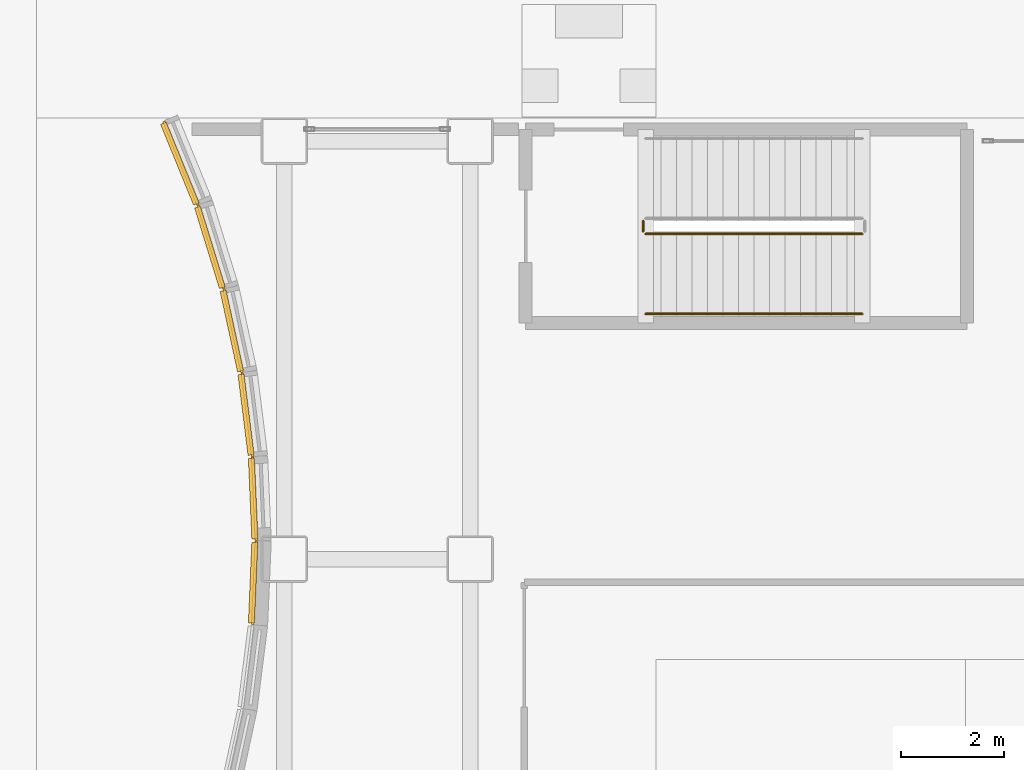
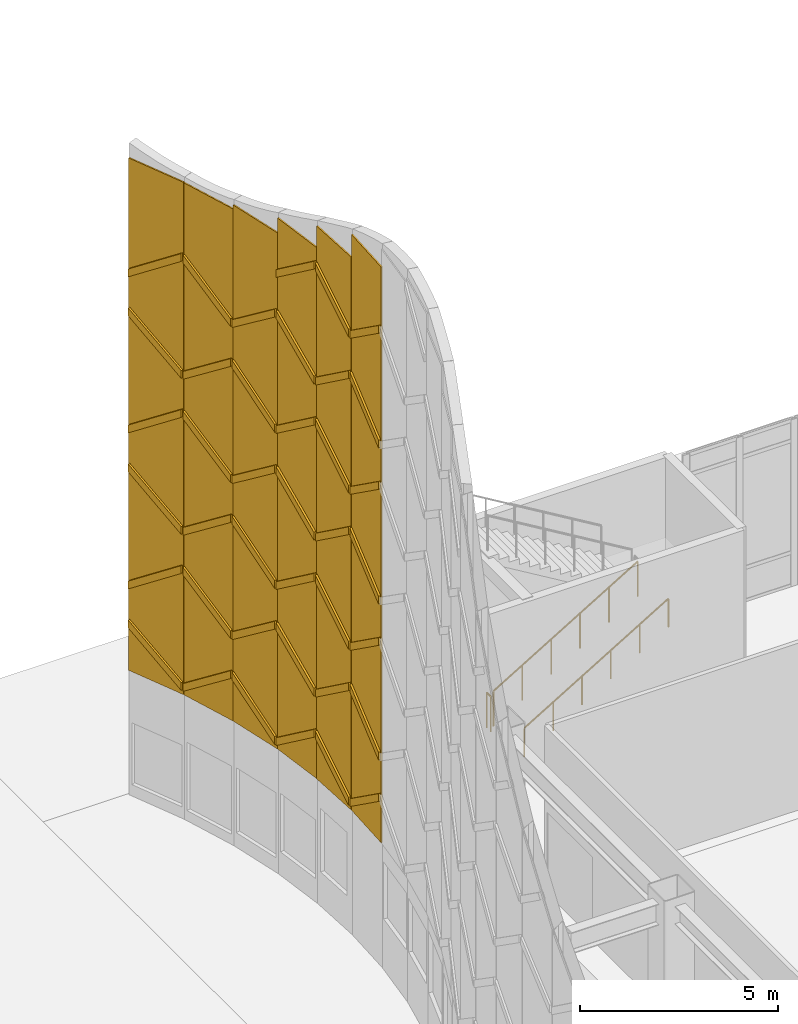
# One storey, part 156 of 165: 45 coverings, 3 railings.
"""IFC4 building model written with IfcOpenShell, lengths in metres."""

import ifcopenshell
import ifcopenshell.guid

model = None  # the IFC model being written
_history = None  # IfcOwnerHistory: only IFC2X3 demands one
_inside = {}  # id of a spatial element -> (the spatial element, [elements in it])
_under = {}  # id of a project, library or spatial element -> (it, [spatial elements below it])
_declared = {}  # id of a project -> (the project, [libraries it declares])
_typed = {}  # id of a type object -> (the type object, [elements of that type])
_made_of = {}  # id of a material, layer set ... -> (it, [elements and type objects made of it])


def new_model(schema):
    """Start an empty IFC model of exactly this schema.

    Asked for "IFC4X3", IfcOpenShell would pick the latest addendum, in which some entities
    have other attributes; the version numbers below select the first issue.
    IFC2X3 requires an IfcOwnerHistory on every rooted entity: one is made here for all.
    """
    global model, _history
    if schema == "IFC4X3":
        model = ifcopenshell.file(schema_version=(4, 3, 0, 0))
    else:
        model = ifcopenshell.file(schema=schema)
    _inside.clear()
    _under.clear()
    _declared.clear()
    _typed.clear()
    _made_of.clear()
    _history = None
    if model.schema == "IFC2X3":
        org = make("IfcOrganization", Name="unknown")
        user = make(
            "IfcPersonAndOrganization",
            ThePerson=make("IfcPerson", FamilyName="unknown"),
            TheOrganization=org,
        )
        app = make(
            "IfcApplication",
            ApplicationDeveloper=org,
            Version="unknown",
            ApplicationFullName="unknown",
            ApplicationIdentifier="unknown",
        )
        _history = make(
            "IfcOwnerHistory",
            OwningUser=user,
            OwningApplication=app,
            ChangeAction="ADDED",
            CreationDate=0,
        )
    return model


def make(cls, **values):
    """One entity of the class cls with the attributes given. An attribute that is None is left unset."""
    return model.create_entity(
        cls, **{name: value for name, value in values.items() if value is not None}
    )


def rooted(cls, **values):
    """An entity with a GlobalId (a new one), such as an element, a storey or a relation."""
    return make(cls, GlobalId=ifcopenshell.guid.new(), OwnerHistory=_history, **values)


def si_unit(unit_type, name, prefix=None):
    """IfcSIUnit, for example si_unit("LENGTHUNIT", "METRE", prefix="MILLI")."""
    return make("IfcSIUnit", UnitType=unit_type, Prefix=prefix, Name=name)


def assignment(units):
    """IfcUnitAssignment: the units of a project."""
    return None if units is None else make("IfcUnitAssignment", Units=units)


def point(xyz):
    """IfcCartesianPoint."""
    return None if xyz is None else make("IfcCartesianPoint", Coordinates=xyz)


def direction(xyz):
    """IfcDirection."""
    return None if xyz is None else make("IfcDirection", DirectionRatios=xyz)


def frame(location, z_axis=None, x_axis=None):
    """IfcAxis2Placement3D, a coordinate frame: its origin and axes. An axis left out is left unset."""
    return make(
        "IfcAxis2Placement3D",
        Location=point(location),
        Axis=direction(z_axis),
        RefDirection=direction(x_axis),
    )


def frame_2d(location, x_axis=None):
    """IfcAxis2Placement2D, a coordinate frame in the plane: its origin and x axis."""
    return make(
        "IfcAxis2Placement2D", Location=point(location), RefDirection=direction(x_axis)
    )


def origin():
    """The frame at (0, 0, 0) with its axes left unset."""
    return frame((0.0, 0.0, 0.0))


def origin_2d():
    """The frame at (0, 0) in the plane with its x axis left unset."""
    return frame_2d((0.0, 0.0))


def place(relative_to, where):
    """IfcLocalPlacement: puts the frame where relative to a parent placement (None: the world)."""
    return make(
        "IfcLocalPlacement", PlacementRelTo=relative_to, RelativePlacement=where
    )


def context(
    kind, dimensions, precision=None, world=None, true_north=None, identifier=None
):
    """IfcGeometricRepresentationContext, for example the 3D "Model" context."""
    return make(
        "IfcGeometricRepresentationContext",
        ContextIdentifier=identifier,
        ContextType=kind,
        CoordinateSpaceDimension=dimensions,
        Precision=precision,
        WorldCoordinateSystem=world,
        TrueNorth=true_north,
    )


def subcontext(parent, identifier, kind, view, scale=None):
    """IfcGeometricRepresentationSubContext, for example "Body" below "Model"."""
    return make(
        "IfcGeometricRepresentationSubContext",
        ContextIdentifier=identifier,
        ContextType=kind,
        ParentContext=parent,
        TargetScale=scale,
        TargetView=view,
    )


def project(units=None, contexts=None):
    """IfcProject with its units and contexts."""
    return rooted(
        "IfcProject",
        Name="project",
        RepresentationContexts=contexts,
        UnitsInContext=assignment(units),
    )


def spatial(cls, under=None, at=None, **own):
    """A site, building, storey or space (cls), placed at a placement, below another one or the project."""
    s = rooted(cls, ObjectPlacement=at, **own)
    if under is not None:
        _under.setdefault(under.id(), (under, []))[1].append(s)
    return s


def polyline(points):
    """IfcPolyline through the points."""
    return make("IfcPolyline", Points=[point(p) for p in points])


def profile(cls, at=None, kind="AREA", **sizes):
    """A parametric profile (cls). Its sizes go by their IFC names, for example OverallWidth=200.0."""
    return make(cls, ProfileType=kind, Position=at, **sizes)


def rectangle(**sizes):
    """IfcRectangleProfileDef."""
    return profile("IfcRectangleProfileDef", **sizes)


def circle(**sizes):
    """IfcCircleProfileDef."""
    return profile("IfcCircleProfileDef", **sizes)


def outline(outer, holes=None, kind="AREA"):
    """IfcArbitraryClosedProfileDef: a profile drawn as a closed curve; with holes, ...WithVoids."""
    if holes is None:
        return make("IfcArbitraryClosedProfileDef", ProfileType=kind, OuterCurve=outer)
    return make(
        "IfcArbitraryProfileDefWithVoids",
        ProfileType=kind,
        OuterCurve=outer,
        InnerCurves=holes,
    )


def extrude(swept, where, along, depth):
    """IfcExtrudedAreaSolid: the profile swept, set in the frame where, extruded along a direction by depth."""
    return make(
        "IfcExtrudedAreaSolid",
        SweptArea=swept,
        Position=where,
        ExtrudedDirection=direction(along),
        Depth=depth,
    )


def shape(context_of_items, identifier, shape_type, items):
    """IfcShapeRepresentation: the items that make up one representation, for example the "Body"."""
    return make(
        "IfcShapeRepresentation",
        ContextOfItems=context_of_items,
        RepresentationIdentifier=identifier,
        RepresentationType=shape_type,
        Items=items,
    )


def material(Name=None, Category=None):
    """IfcMaterial."""
    return make("IfcMaterial", Name=Name, Category=Category)


def layer(
    of_material, thickness, ventilated=None, Name=None, Category=None, Priority=None
):
    """IfcMaterialLayer: one layer of a wall or slab, of a material (None: an air gap)."""
    return make(
        "IfcMaterialLayer",
        Material=of_material,
        LayerThickness=thickness,
        IsVentilated=ventilated,
        Name=Name,
        Category=Category,
        Priority=Priority,
    )


def layer_set(layers, Name=None):
    """IfcMaterialLayerSet."""
    return make("IfcMaterialLayerSet", MaterialLayers=layers, LayerSetName=Name)


def made_of(thing, what):
    """Note that an element or type object is made of a material, layer set ...; save() writes the relation."""
    if what is not None:
        _made_of.setdefault(what.id(), (what, []))[1].append(thing)
    return thing


def type_object(cls, material=None, **own):
    """A type object (cls), such as IfcWallType, which elements share."""
    return made_of(rooted(cls, **own), material)


def element(
    cls,
    number,
    at=None,
    inside=None,
    cuts=None,
    type_object=None,
    material=None,
    context=None,
    identifier="Body",
    shape_type=None,
    held_by="IfcProductDefinitionShape",
    body=None,
    shapes=None,
    **own,
):
    """One element of the class cls, such as IfcWall. Its Tag is "e" and its number.

    at: its placement. inside: the storey or other place that contains it. cuts: it is an
    opening in that element (IfcRelVoidsElement). A single representation is given by context,
    identifier, shape_type and body (its items); several are given by shapes. held_by: the class
    of the entity that holds the representations. save() writes the other relations.
    """
    e = rooted(cls, Tag="e%d" % number, ObjectPlacement=at, **own)
    if body is not None:
        shapes = [shape(context, identifier, shape_type, body)]
    if shapes is not None:
        e.Representation = make(held_by, Representations=shapes)
    if inside is not None:
        _inside.setdefault(inside.id(), (inside, []))[1].append(e)
    if cuts is not None:
        rooted(
            "IfcRelVoidsElement", RelatingBuildingElement=cuts, RelatedOpeningElement=e
        )
    if type_object is not None:
        _typed.setdefault(type_object.id(), (type_object, []))[1].append(e)
    return made_of(e, material)


def aggregate(whole, parts):
    """IfcRelAggregates: a whole, such as a stair, and the parts it consists of."""
    return rooted("IfcRelAggregates", RelatingObject=whole, RelatedObjects=parts)


def save(model, path):
    """Write the relations noted so far, then the file.

    IfcRelAggregates (storeys below a building ...), IfcRelContainedInSpatialStructure (elements
    in a storey), IfcRelDefinesByType, IfcRelAssociatesMaterial and IfcRelDeclares: one each for
    every whole, place, type object, material and project.
    """
    for whole, parts in _under.values():
        aggregate(whole, parts)
    for where, things in _inside.values():
        rooted(
            "IfcRelContainedInSpatialStructure",
            RelatedElements=things,
            RelatingStructure=where,
        )
    for kind, things in _typed.values():
        rooted("IfcRelDefinesByType", RelatedObjects=things, RelatingType=kind)
    for what, things in _made_of.values():
        rooted("IfcRelAssociatesMaterial", RelatedObjects=things, RelatingMaterial=what)
    for by, libraries in _declared.values():
        rooted("IfcRelDeclares", RelatingContext=by, RelatedDefinitions=libraries)
    model.write(path)


model = new_model("IFC4")

# Units and contexts
model_context = context("Model", 3, precision=1e-05, world=origin(), true_north=direction((0.0, 1.0)))
body_context = subcontext(model_context, "Body", "Model", "MODEL_VIEW")
ifc_project = project(units=[si_unit("LENGTHUNIT", "METRE"), si_unit("AREAUNIT", "SQUARE_METRE"), si_unit("VOLUMEUNIT", "CUBIC_METRE"), si_unit("PLANEANGLEUNIT", "RADIAN"), si_unit("MASSUNIT", "GRAM", prefix="KILO")], contexts=[model_context])

# Site, building, storey
site_placement = place(None, origin())
site = spatial("IfcSite", under=ifc_project, at=site_placement, CompositionType="ELEMENT")
building_placement = place(site_placement, origin())
building = spatial("IfcBuilding", under=site, at=building_placement, Name="Kazehara Bluff Congress Hotel", CompositionType="ELEMENT")
storey_placement = place(building_placement, origin())
storey = spatial("IfcBuildingStorey", under=building, at=storey_placement, Name="L00", CompositionType="ELEMENT", Elevation=0.0)

# Coverings
ifc_material_1 = material(Name="Basalt stone-grey chevron ceramic tile", Category="masonry")
ifc_layer_1 = layer(ifc_material_1, 0.1201171875)
ifc_layer_set_1 = layer_set([ifc_layer_1], Name="Basalt stone-grey chevron ceramic tile")
covering_type_1 = type_object("IfcCoveringType", Name="TP-CHV-RIB", PredefinedType="CLADDING", material=ifc_layer_set_1)
covering_1_placement = place(storey_placement, frame((4.159912109375, 104.169921875, 4.0), z_axis=(0.0, 0.0, 1.0), x_axis=(0.042682116378, 0.99908870324, 0.0)))
element("IfcCovering", 1, at=covering_1_placement, inside=storey, type_object=covering_type_1, Name="Chevron stone-grey tile rib WR-V1-35-1", PredefinedType="CLADDING", context=body_context, shape_type="SweptSolid", body=[
    extrude(outline(polyline([(0.0400390625, 1.125), (1.60009765625, 0.0), (1.60009765625, 0.239990234375), (0.0400390625, 1.364990234375), (0.0400390625, 1.125)])), frame((0.0, 0.06005859375, 0.0), z_axis=(0.0, -1.0, 0.0), x_axis=(1.0, 0.0, 0.0)), (0.0, 0.0, 1.0), 0.1201171875),
])
covering_2_placement = place(storey_placement, frame((4.159912109375, 104.169921875, 6.39990234375), z_axis=(0.0, 0.0, 1.0), x_axis=(0.042682116378, 0.99908870324, 0.0)))
element("IfcCovering", 2, at=covering_2_placement, inside=storey, type_object=covering_type_1, Name="Chevron stone-grey tile rib WR-V1-35-2", PredefinedType="CLADDING", context=body_context, shape_type="SweptSolid", body=[
    extrude(outline(polyline([(0.0400390625, 0.0), (1.60009765625, 1.125), (1.60009765625, 1.364990234375), (0.0400390625, 0.239990234375), (0.0400390625, 0.0)])), frame((0.0, 0.06005859375, 0.0), z_axis=(0.0, -1.0, 0.0), x_axis=(1.0, 0.0, 0.0)), (0.0, 0.0, 1.0), 0.1201171875),
])
covering_3_placement = place(storey_placement, frame((4.159912109375, 104.169921875, 8.800048828125), z_axis=(0.0, 0.0, 1.0), x_axis=(0.042682116378, 0.99908870324, 0.0)))
element("IfcCovering", 3, at=covering_3_placement, inside=storey, type_object=covering_type_1, Name="Chevron stone-grey tile rib WR-V1-35-3", PredefinedType="CLADDING", context=body_context, shape_type="SweptSolid", body=[
    extrude(outline(polyline([(0.0400390625, 1.125), (1.60009765625, 0.0), (1.60009765625, 0.239990234375), (0.0400390625, 1.364990234375), (0.0400390625, 1.125)])), frame((0.0, 0.06005859375, 0.0), z_axis=(0.0, -1.0, 0.0), x_axis=(1.0, 0.0, 0.0)), (0.0, 0.0, 1.0), 0.1201171875),
])
covering_4_placement = place(storey_placement, frame((4.159912109375, 104.169921875, 11.199951171875), z_axis=(0.0, 0.0, 1.0), x_axis=(0.042682116378, 0.99908870324, 0.0)))
element("IfcCovering", 4, at=covering_4_placement, inside=storey, type_object=covering_type_1, Name="Chevron stone-grey tile rib WR-V1-35-4", PredefinedType="CLADDING", context=body_context, shape_type="SweptSolid", body=[
    extrude(outline(polyline([(0.0400390625, 0.0), (1.60009765625, 1.125), (1.60009765625, 1.364990234375), (0.0400390625, 0.239990234375), (0.0400390625, 0.0)])), frame((0.0, 0.06005859375, 0.0), z_axis=(0.0, -1.0, 0.0), x_axis=(1.0, 0.0, 0.0)), (0.0, 0.0, 1.0), 0.1201171875),
])
covering_5_placement = place(storey_placement, frame((4.159912109375, 104.169921875, 13.60009765625), z_axis=(0.0, 0.0, 1.0), x_axis=(0.042682116378, 0.99908870324, 0.0)))
element("IfcCovering", 5, at=covering_5_placement, inside=storey, type_object=covering_type_1, Name="Chevron stone-grey tile rib WR-V1-35-5", PredefinedType="CLADDING", context=body_context, shape_type="SweptSolid", body=[
    extrude(outline(polyline([(0.0400390625, 1.125), (1.60009765625, 0.0), (1.60009765625, 0.239990234375), (0.0400390625, 1.364990234375), (0.0400390625, 1.125)])), frame((0.0, 0.06005859375, 0.0), z_axis=(0.0, -1.0, 0.0), x_axis=(1.0, 0.0, 0.0)), (0.0, 0.0, 1.0), 0.1201171875),
])
covering_6_placement = place(storey_placement, frame((4.159912109375, 104.169921875, 16.0), z_axis=(0.0, 0.0, 1.0), x_axis=(0.042682116378, 0.99908870324, 0.0)))
element("IfcCovering", 6, at=covering_6_placement, inside=storey, type_object=covering_type_1, Name="Chevron stone-grey tile rib WR-V1-35-6", PredefinedType="CLADDING", context=body_context, shape_type="SweptSolid", body=[
    extrude(outline(polyline([(0.0400390625, 0.0), (1.60009765625, 1.125), (1.60009765625, 1.364990234375), (0.0400390625, 0.239990234375), (0.0400390625, 0.0)])), frame((0.0, 0.06005859375, 0.0), z_axis=(0.0, -1.0, 0.0), x_axis=(1.0, 0.0, 0.0)), (0.0, 0.0, 1.0), 0.1201171875),
])
covering_7_placement = place(storey_placement, frame((4.159912109375, 104.169921875, 18.39990234375), z_axis=(0.0, 0.0, 1.0), x_axis=(0.042682116378, 0.99908870324, 0.0)))
element("IfcCovering", 7, at=covering_7_placement, inside=storey, type_object=covering_type_1, Name="Chevron stone-grey tile rib WR-V1-35-7", PredefinedType="CLADDING", context=body_context, shape_type="SweptSolid", body=[
    extrude(outline(polyline([(0.0400390625, 1.125), (1.60009765625, 0.0), (1.60009765625, 0.239990234375), (0.0400390625, 1.364990234375), (0.0400390625, 1.125)])), frame((0.0, 0.06005859375, 0.0), z_axis=(0.0, -1.0, 0.0), x_axis=(1.0, 0.0, 0.0)), (0.0, 0.0, 1.0), 0.1201171875),
])
covering_8_placement = place(storey_placement, frame((4.22998046875, 105.800048828125, 4.0), z_axis=(0.0, 0.0, 1.0), x_axis=(-0.042688459142, 0.99908843225, 0.0)))
element("IfcCovering", 8, at=covering_8_placement, inside=storey, type_object=covering_type_1, Name="Chevron stone-grey tile rib WR-V1-36-1", PredefinedType="CLADDING", context=body_context, shape_type="SweptSolid", body=[
    extrude(outline(polyline([(0.0400390625, 0.0), (1.60009765625, 1.125), (1.60009765625, 1.364990234375), (0.0400390625, 0.239990234375), (0.0400390625, 0.0)])), frame((0.0, 0.06005859375, 0.0), z_axis=(0.0, -1.0, 0.0), x_axis=(1.0, 0.0, 0.0)), (0.0, 0.0, 1.0), 0.1201171875),
])
covering_9_placement = place(storey_placement, frame((4.22998046875, 105.800048828125, 6.39990234375), z_axis=(0.0, 0.0, 1.0), x_axis=(-0.042688459142, 0.99908843225, 0.0)))
element("IfcCovering", 9, at=covering_9_placement, inside=storey, type_object=covering_type_1, Name="Chevron stone-grey tile rib WR-V1-36-2", PredefinedType="CLADDING", context=body_context, shape_type="SweptSolid", body=[
    extrude(outline(polyline([(0.0400390625, 1.125), (1.60009765625, 0.0), (1.60009765625, 0.239990234375), (0.0400390625, 1.364990234375), (0.0400390625, 1.125)])), frame((0.0, 0.06005859375, 0.0), z_axis=(0.0, -1.0, 0.0), x_axis=(1.0, 0.0, 0.0)), (0.0, 0.0, 1.0), 0.1201171875),
])
covering_10_placement = place(storey_placement, frame((4.22998046875, 105.800048828125, 8.800048828125), z_axis=(0.0, 0.0, 1.0), x_axis=(-0.042688459142, 0.99908843225, 0.0)))
element("IfcCovering", 10, at=covering_10_placement, inside=storey, type_object=covering_type_1, Name="Chevron stone-grey tile rib WR-V1-36-3", PredefinedType="CLADDING", context=body_context, shape_type="SweptSolid", body=[
    extrude(outline(polyline([(0.0400390625, 0.0), (1.60009765625, 1.125), (1.60009765625, 1.364990234375), (0.0400390625, 0.239990234375), (0.0400390625, 0.0)])), frame((0.0, 0.06005859375, 0.0), z_axis=(0.0, -1.0, 0.0), x_axis=(1.0, 0.0, 0.0)), (0.0, 0.0, 1.0), 0.1201171875),
])
covering_11_placement = place(storey_placement, frame((4.22998046875, 105.800048828125, 11.199951171875), z_axis=(0.0, 0.0, 1.0), x_axis=(-0.042688459142, 0.99908843225, 0.0)))
element("IfcCovering", 11, at=covering_11_placement, inside=storey, type_object=covering_type_1, Name="Chevron stone-grey tile rib WR-V1-36-4", PredefinedType="CLADDING", context=body_context, shape_type="SweptSolid", body=[
    extrude(outline(polyline([(0.0400390625, 1.125), (1.60009765625, 0.0), (1.60009765625, 0.239990234375), (0.0400390625, 1.364990234375), (0.0400390625, 1.125)])), frame((0.0, 0.06005859375, 0.0), z_axis=(0.0, -1.0, 0.0), x_axis=(1.0, 0.0, 0.0)), (0.0, 0.0, 1.0), 0.1201171875),
])
covering_12_placement = place(storey_placement, frame((4.22998046875, 105.800048828125, 13.60009765625), z_axis=(0.0, 0.0, 1.0), x_axis=(-0.042688459142, 0.99908843225, 0.0)))
element("IfcCovering", 12, at=covering_12_placement, inside=storey, type_object=covering_type_1, Name="Chevron stone-grey tile rib WR-V1-36-5", PredefinedType="CLADDING", context=body_context, shape_type="SweptSolid", body=[
    extrude(outline(polyline([(0.0400390625, 0.0), (1.60009765625, 1.125), (1.60009765625, 1.364990234375), (0.0400390625, 0.239990234375), (0.0400390625, 0.0)])), frame((0.0, 0.06005859375, 0.0), z_axis=(0.0, -1.0, 0.0), x_axis=(1.0, 0.0, 0.0)), (0.0, 0.0, 1.0), 0.1201171875),
])
covering_13_placement = place(storey_placement, frame((4.22998046875, 105.800048828125, 16.0), z_axis=(0.0, 0.0, 1.0), x_axis=(-0.042688459142, 0.99908843225, 0.0)))
element("IfcCovering", 13, at=covering_13_placement, inside=storey, type_object=covering_type_1, Name="Chevron stone-grey tile rib WR-V1-36-6", PredefinedType="CLADDING", context=body_context, shape_type="SweptSolid", body=[
    extrude(outline(polyline([(0.0400390625, 1.125), (1.60009765625, 0.0), (1.60009765625, 0.239990234375), (0.0400390625, 1.364990234375), (0.0400390625, 1.125)])), frame((0.0, 0.06005859375, 0.0), z_axis=(0.0, -1.0, 0.0), x_axis=(1.0, 0.0, 0.0)), (0.0, 0.0, 1.0), 0.1201171875),
])
covering_14_placement = place(storey_placement, frame((4.22998046875, 105.800048828125, 18.39990234375), z_axis=(0.0, 0.0, 1.0), x_axis=(-0.042688459142, 0.99908843225, 0.0)))
element("IfcCovering", 14, at=covering_14_placement, inside=storey, type_object=covering_type_1, Name="Chevron stone-grey tile rib WR-V1-36-7", PredefinedType="CLADDING", context=body_context, shape_type="SweptSolid", body=[
    extrude(outline(polyline([(0.0400390625, 0.0), (1.60009765625, 1.125), (1.60009765625, 1.364990234375), (0.0400390625, 0.239990234375), (0.0400390625, 0.0)])), frame((0.0, 0.06005859375, 0.0), z_axis=(0.0, -1.0, 0.0), x_axis=(1.0, 0.0, 0.0)), (0.0, 0.0, 1.0), 0.1201171875),
])
covering_15_placement = place(storey_placement, frame((4.159912109375, 107.425048828125, 4.0), z_axis=(0.0, 0.0, 1.0), x_axis=(-0.123943824506, 0.992289236245, 0.0)))
element("IfcCovering", 15, at=covering_15_placement, inside=storey, type_object=covering_type_1, Name="Chevron stone-grey tile rib WR-V1-37-1", PredefinedType="CLADDING", context=body_context, shape_type="SweptSolid", body=[
    extrude(outline(polyline([(0.0400390625, 1.135009765625), (1.614990234375, 0.0), (1.614990234375, 0.239990234375), (0.0400390625, 1.375), (0.0400390625, 1.135009765625)])), frame((0.0, 0.06005859375, 0.0), z_axis=(0.0, -1.0, 0.0), x_axis=(1.0, 0.0, 0.0)), (0.0, 0.0, 1.0), 0.1201171875),
])
covering_16_placement = place(storey_placement, frame((4.159912109375, 107.425048828125, 6.39990234375), z_axis=(0.0, 0.0, 1.0), x_axis=(-0.123943824506, 0.992289236245, 0.0)))
element("IfcCovering", 16, at=covering_16_placement, inside=storey, type_object=covering_type_1, Name="Chevron stone-grey tile rib WR-V1-37-2", PredefinedType="CLADDING", context=body_context, shape_type="SweptSolid", body=[
    extrude(outline(polyline([(0.0400390625, 0.0), (1.614990234375, 1.135009765625), (1.614990234375, 1.375), (0.0400390625, 0.239990234375), (0.0400390625, 0.0)])), frame((0.0, 0.06005859375, 0.0), z_axis=(0.0, -1.0, 0.0), x_axis=(1.0, 0.0, 0.0)), (0.0, 0.0, 1.0), 0.1201171875),
])
covering_17_placement = place(storey_placement, frame((4.159912109375, 107.425048828125, 8.800048828125), z_axis=(0.0, 0.0, 1.0), x_axis=(-0.123943824506, 0.992289236245, 0.0)))
element("IfcCovering", 17, at=covering_17_placement, inside=storey, type_object=covering_type_1, Name="Chevron stone-grey tile rib WR-V1-37-3", PredefinedType="CLADDING", context=body_context, shape_type="SweptSolid", body=[
    extrude(outline(polyline([(0.0400390625, 1.135009765625), (1.614990234375, 0.0), (1.614990234375, 0.239990234375), (0.0400390625, 1.375), (0.0400390625, 1.135009765625)])), frame((0.0, 0.06005859375, 0.0), z_axis=(0.0, -1.0, 0.0), x_axis=(1.0, 0.0, 0.0)), (0.0, 0.0, 1.0), 0.1201171875),
])
covering_18_placement = place(storey_placement, frame((4.159912109375, 107.425048828125, 11.199951171875), z_axis=(0.0, 0.0, 1.0), x_axis=(-0.123943824506, 0.992289236245, 0.0)))
element("IfcCovering", 18, at=covering_18_placement, inside=storey, type_object=covering_type_1, Name="Chevron stone-grey tile rib WR-V1-37-4", PredefinedType="CLADDING", context=body_context, shape_type="SweptSolid", body=[
    extrude(outline(polyline([(0.0400390625, 0.0), (1.614990234375, 1.135009765625), (1.614990234375, 1.375), (0.0400390625, 0.239990234375), (0.0400390625, 0.0)])), frame((0.0, 0.06005859375, 0.0), z_axis=(0.0, -1.0, 0.0), x_axis=(1.0, 0.0, 0.0)), (0.0, 0.0, 1.0), 0.1201171875),
])
covering_19_placement = place(storey_placement, frame((4.159912109375, 107.425048828125, 13.60009765625), z_axis=(0.0, 0.0, 1.0), x_axis=(-0.123943824506, 0.992289236245, 0.0)))
element("IfcCovering", 19, at=covering_19_placement, inside=storey, type_object=covering_type_1, Name="Chevron stone-grey tile rib WR-V1-37-5", PredefinedType="CLADDING", context=body_context, shape_type="SweptSolid", body=[
    extrude(outline(polyline([(0.0400390625, 1.135009765625), (1.614990234375, 0.0), (1.614990234375, 0.239990234375), (0.0400390625, 1.375), (0.0400390625, 1.135009765625)])), frame((0.0, 0.06005859375, 0.0), z_axis=(0.0, -1.0, 0.0), x_axis=(1.0, 0.0, 0.0)), (0.0, 0.0, 1.0), 0.1201171875),
])
covering_20_placement = place(storey_placement, frame((4.159912109375, 107.425048828125, 16.0), z_axis=(0.0, 0.0, 1.0), x_axis=(-0.123943824506, 0.992289236245, 0.0)))
element("IfcCovering", 20, at=covering_20_placement, inside=storey, type_object=covering_type_1, Name="Chevron stone-grey tile rib WR-V1-37-6", PredefinedType="CLADDING", context=body_context, shape_type="SweptSolid", body=[
    extrude(outline(polyline([(0.0400390625, 0.0), (1.614990234375, 1.135009765625), (1.614990234375, 1.375), (0.0400390625, 0.239990234375), (0.0400390625, 0.0)])), frame((0.0, 0.06005859375, 0.0), z_axis=(0.0, -1.0, 0.0), x_axis=(1.0, 0.0, 0.0)), (0.0, 0.0, 1.0), 0.1201171875),
])
covering_21_placement = place(storey_placement, frame((4.159912109375, 107.425048828125, 18.39990234375), z_axis=(0.0, 0.0, 1.0), x_axis=(-0.123943824506, 0.992289236245, 0.0)))
element("IfcCovering", 21, at=covering_21_placement, inside=storey, type_object=covering_type_1, Name="Chevron stone-grey tile rib WR-V1-37-7", PredefinedType="CLADDING", context=body_context, shape_type="SweptSolid", body=[
    extrude(outline(polyline([(0.0400390625, 1.135009765625), (1.614990234375, 0.0), (1.614990234375, 0.239990234375), (0.0400390625, 1.375), (0.0400390625, 1.135009765625)])), frame((0.0, 0.06005859375, 0.0), z_axis=(0.0, -1.0, 0.0), x_axis=(1.0, 0.0, 0.0)), (0.0, 0.0, 1.0), 0.1201171875),
])
covering_22_placement = place(storey_placement, frame((3.9599609375, 109.050048828125, 4.0), z_axis=(0.0, 0.0, 1.0), x_axis=(-0.212169138818, 0.977232959193, 0.0)))
element("IfcCovering", 22, at=covering_22_placement, inside=storey, type_object=covering_type_1, Name="Chevron stone-grey tile rib WR-V1-38-1", PredefinedType="CLADDING", context=body_context, shape_type="SweptSolid", body=[
    extrude(outline(polyline([(0.0400390625, 0.0), (1.635009765625, 1.14990234375), (1.635009765625, 1.389892578125), (0.0400390625, 0.239990234375), (0.0400390625, 0.0)])), frame((0.0, 0.06005859375, 0.0), z_axis=(0.0, -1.0, 0.0), x_axis=(1.0, 0.0, 0.0)), (0.0, 0.0, 1.0), 0.1201171875),
])
covering_23_placement = place(storey_placement, frame((3.9599609375, 109.050048828125, 6.39990234375), z_axis=(0.0, 0.0, 1.0), x_axis=(-0.212169138818, 0.977232959193, 0.0)))
element("IfcCovering", 23, at=covering_23_placement, inside=storey, type_object=covering_type_1, Name="Chevron stone-grey tile rib WR-V1-38-2", PredefinedType="CLADDING", context=body_context, shape_type="SweptSolid", body=[
    extrude(outline(polyline([(0.0400390625, 1.150146484375), (1.635009765625, 0.0), (1.635009765625, 0.239990234375), (0.0400390625, 1.39013671875), (0.0400390625, 1.150146484375)])), frame((0.0, 0.06005859375, 0.0), z_axis=(0.0, -1.0, 0.0), x_axis=(1.0, 0.0, 0.0)), (0.0, 0.0, 1.0), 0.1201171875),
])
covering_24_placement = place(storey_placement, frame((3.9599609375, 109.050048828125, 8.800048828125), z_axis=(0.0, 0.0, 1.0), x_axis=(-0.212169138818, 0.977232959193, 0.0)))
element("IfcCovering", 24, at=covering_24_placement, inside=storey, type_object=covering_type_1, Name="Chevron stone-grey tile rib WR-V1-38-3", PredefinedType="CLADDING", context=body_context, shape_type="SweptSolid", body=[
    extrude(outline(polyline([(0.0400390625, 0.0), (1.635009765625, 1.14990234375), (1.635009765625, 1.389892578125), (0.0400390625, 0.239990234375), (0.0400390625, 0.0)])), frame((0.0, 0.06005859375, 0.0), z_axis=(0.0, -1.0, 0.0), x_axis=(1.0, 0.0, 0.0)), (0.0, 0.0, 1.0), 0.1201171875),
])
covering_25_placement = place(storey_placement, frame((3.9599609375, 109.050048828125, 11.199951171875), z_axis=(0.0, 0.0, 1.0), x_axis=(-0.212169138818, 0.977232959193, 0.0)))
element("IfcCovering", 25, at=covering_25_placement, inside=storey, type_object=covering_type_1, Name="Chevron stone-grey tile rib WR-V1-38-4", PredefinedType="CLADDING", context=body_context, shape_type="SweptSolid", body=[
    extrude(outline(polyline([(0.0400390625, 1.150146484375), (1.635009765625, 0.0), (1.635009765625, 0.239990234375), (0.0400390625, 1.39013671875), (0.0400390625, 1.150146484375)])), frame((0.0, 0.06005859375, 0.0), z_axis=(0.0, -1.0, 0.0), x_axis=(1.0, 0.0, 0.0)), (0.0, 0.0, 1.0), 0.1201171875),
])
covering_26_placement = place(storey_placement, frame((3.9599609375, 109.050048828125, 13.60009765625), z_axis=(0.0, 0.0, 1.0), x_axis=(-0.212169138818, 0.977232959193, 0.0)))
element("IfcCovering", 26, at=covering_26_placement, inside=storey, type_object=covering_type_1, Name="Chevron stone-grey tile rib WR-V1-38-5", PredefinedType="CLADDING", context=body_context, shape_type="SweptSolid", body=[
    extrude(outline(polyline([(0.0400390625, 0.0), (1.635009765625, 1.14990234375), (1.635009765625, 1.389892578125), (0.0400390625, 0.239990234375), (0.0400390625, 0.0)])), frame((0.0, 0.06005859375, 0.0), z_axis=(0.0, -1.0, 0.0), x_axis=(1.0, 0.0, 0.0)), (0.0, 0.0, 1.0), 0.1201171875),
])
covering_27_placement = place(storey_placement, frame((3.9599609375, 109.050048828125, 16.0), z_axis=(0.0, 0.0, 1.0), x_axis=(-0.212169138818, 0.977232959193, 0.0)))
element("IfcCovering", 27, at=covering_27_placement, inside=storey, type_object=covering_type_1, Name="Chevron stone-grey tile rib WR-V1-38-6", PredefinedType="CLADDING", context=body_context, shape_type="SweptSolid", body=[
    extrude(outline(polyline([(0.0400390625, 1.14990234375), (1.635009765625, 0.0), (1.635009765625, 0.239990234375), (0.0400390625, 1.389892578125), (0.0400390625, 1.14990234375)])), frame((0.0, 0.06005859375, 0.0), z_axis=(0.0, -1.0, 0.0), x_axis=(1.0, 0.0, 0.0)), (0.0, 0.0, 1.0), 0.1201171875),
])
covering_28_placement = place(storey_placement, frame((3.610107421875, 110.669921875, 4.0), z_axis=(0.0, 0.0, 1.0), x_axis=(-0.294335754843, 0.955702078799, 0.0)))
element("IfcCovering", 28, at=covering_28_placement, inside=storey, type_object=covering_type_1, Name="Chevron stone-grey tile rib WR-V1-39-1", PredefinedType="CLADDING", context=body_context, shape_type="SweptSolid", body=[
    extrude(outline(polyline([(0.0400390625, 1.175048828125), (1.675048828125, 0.0), (1.675048828125, 0.239990234375), (0.0400390625, 1.4150390625), (0.0400390625, 1.175048828125)])), frame((0.0, 0.06005859375, 0.0), z_axis=(0.0, -1.0, 0.0), x_axis=(1.0, 0.0, 0.0)), (0.0, 0.0, 1.0), 0.1201171875),
])
covering_29_placement = place(storey_placement, frame((3.610107421875, 110.669921875, 6.39990234375), z_axis=(0.0, 0.0, 1.0), x_axis=(-0.294335754843, 0.955702078799, 0.0)))
element("IfcCovering", 29, at=covering_29_placement, inside=storey, type_object=covering_type_1, Name="Chevron stone-grey tile rib WR-V1-39-2", PredefinedType="CLADDING", context=body_context, shape_type="SweptSolid", body=[
    extrude(outline(polyline([(0.0400390625, 0.0), (1.675048828125, 1.175048828125), (1.675048828125, 1.4150390625), (0.0400390625, 0.239990234375), (0.0400390625, 0.0)])), frame((0.0, 0.06005859375, 0.0), z_axis=(0.0, -1.0, 0.0), x_axis=(1.0, 0.0, 0.0)), (0.0, 0.0, 1.0), 0.1201171875),
])
covering_30_placement = place(storey_placement, frame((3.610107421875, 110.669921875, 8.800048828125), z_axis=(0.0, 0.0, 1.0), x_axis=(-0.294335754843, 0.955702078799, 0.0)))
element("IfcCovering", 30, at=covering_30_placement, inside=storey, type_object=covering_type_1, Name="Chevron stone-grey tile rib WR-V1-39-3", PredefinedType="CLADDING", context=body_context, shape_type="SweptSolid", body=[
    extrude(outline(polyline([(0.0400390625, 1.175048828125), (1.675048828125, 0.0), (1.675048828125, 0.239990234375), (0.0400390625, 1.4150390625), (0.0400390625, 1.175048828125)])), frame((0.0, 0.06005859375, 0.0), z_axis=(0.0, -1.0, 0.0), x_axis=(1.0, 0.0, 0.0)), (0.0, 0.0, 1.0), 0.1201171875),
])
covering_31_placement = place(storey_placement, frame((3.610107421875, 110.669921875, 11.199951171875), z_axis=(0.0, 0.0, 1.0), x_axis=(-0.294335754843, 0.955702078799, 0.0)))
element("IfcCovering", 31, at=covering_31_placement, inside=storey, type_object=covering_type_1, Name="Chevron stone-grey tile rib WR-V1-39-4", PredefinedType="CLADDING", context=body_context, shape_type="SweptSolid", body=[
    extrude(outline(polyline([(0.0400390625, 0.0), (1.675048828125, 1.175048828125), (1.675048828125, 1.4150390625), (0.0400390625, 0.239990234375), (0.0400390625, 0.0)])), frame((0.0, 0.06005859375, 0.0), z_axis=(0.0, -1.0, 0.0), x_axis=(1.0, 0.0, 0.0)), (0.0, 0.0, 1.0), 0.1201171875),
])
covering_32_placement = place(storey_placement, frame((3.610107421875, 110.669921875, 13.60009765625), z_axis=(0.0, 0.0, 1.0), x_axis=(-0.294335754843, 0.955702078799, 0.0)))
element("IfcCovering", 32, at=covering_32_placement, inside=storey, type_object=covering_type_1, Name="Chevron stone-grey tile rib WR-V1-39-5", PredefinedType="CLADDING", context=body_context, shape_type="SweptSolid", body=[
    extrude(outline(polyline([(0.0400390625, 1.1748046875), (1.675048828125, 0.0), (1.675048828125, 0.239990234375), (0.0400390625, 1.414794921875), (0.0400390625, 1.1748046875)])), frame((0.0, 0.06005859375, 0.0), z_axis=(0.0, -1.0, 0.0), x_axis=(1.0, 0.0, 0.0)), (0.0, 0.0, 1.0), 0.1201171875),
])
covering_33_placement = place(storey_placement, frame((3.610107421875, 110.669921875, 16.0), z_axis=(0.0, 0.0, 1.0), x_axis=(-0.294335754843, 0.955702078799, 0.0)))
element("IfcCovering", 33, at=covering_33_placement, inside=storey, type_object=covering_type_1, Name="Chevron stone-grey tile rib WR-V1-39-6", PredefinedType="CLADDING", context=body_context, shape_type="SweptSolid", body=[
    extrude(outline(polyline([(0.0400390625, 0.0), (1.675048828125, 1.175048828125), (1.675048828125, 1.4150390625), (0.0400390625, 0.239990234375), (0.0400390625, 0.0)])), frame((0.0, 0.06005859375, 0.0), z_axis=(0.0, -1.0, 0.0), x_axis=(1.0, 0.0, 0.0)), (0.0, 0.0, 1.0), 0.1201171875),
])
covering_34_placement = place(storey_placement, frame((3.110107421875, 112.294921875, 4.0), z_axis=(0.0, 0.0, 1.0), x_axis=(-0.378246499761, 0.925704912712, 0.0)))
element("IfcCovering", 34, at=covering_34_placement, inside=storey, type_object=covering_type_1, Name="Chevron stone-grey tile rib WR-V1-40-1", PredefinedType="CLADDING", context=body_context, shape_type="SweptSolid", body=[
    extrude(outline(polyline([(0.0400390625, 0.0), (1.72998046875, 1.199951171875), (1.72998046875, 1.43994140625), (0.0400390625, 0.239990234375), (0.0400390625, 0.0)])), frame((0.0, 0.06005859375, 0.0), z_axis=(0.0, -1.0, 0.0), x_axis=(1.0, 0.0, 0.0)), (0.0, 0.0, 1.0), 0.1201171875),
])
covering_35_placement = place(storey_placement, frame((3.110107421875, 112.294921875, 6.39990234375), z_axis=(0.0, 0.0, 1.0), x_axis=(-0.378246499761, 0.925704912712, 0.0)))
element("IfcCovering", 35, at=covering_35_placement, inside=storey, type_object=covering_type_1, Name="Chevron stone-grey tile rib WR-V1-40-2", PredefinedType="CLADDING", context=body_context, shape_type="SweptSolid", body=[
    extrude(outline(polyline([(0.0400390625, 1.2001953125), (1.72998046875, 0.0), (1.72998046875, 0.239990234375), (0.0400390625, 1.440185546875), (0.0400390625, 1.2001953125)])), frame((0.0, 0.06005859375, 0.0), z_axis=(0.0, -1.0, 0.0), x_axis=(1.0, 0.0, 0.0)), (0.0, 0.0, 1.0), 0.1201171875),
])
covering_36_placement = place(storey_placement, frame((3.110107421875, 112.294921875, 8.800048828125), z_axis=(0.0, 0.0, 1.0), x_axis=(-0.378246499761, 0.925704912712, 0.0)))
element("IfcCovering", 36, at=covering_36_placement, inside=storey, type_object=covering_type_1, Name="Chevron stone-grey tile rib WR-V1-40-3", PredefinedType="CLADDING", context=body_context, shape_type="SweptSolid", body=[
    extrude(outline(polyline([(0.0400390625, 0.0), (1.72998046875, 1.199951171875), (1.72998046875, 1.43994140625), (0.0400390625, 0.239990234375), (0.0400390625, 0.0)])), frame((0.0, 0.06005859375, 0.0), z_axis=(0.0, -1.0, 0.0), x_axis=(1.0, 0.0, 0.0)), (0.0, 0.0, 1.0), 0.1201171875),
])
covering_37_placement = place(storey_placement, frame((3.110107421875, 112.294921875, 11.199951171875), z_axis=(0.0, 0.0, 1.0), x_axis=(-0.378246499761, 0.925704912712, 0.0)))
element("IfcCovering", 37, at=covering_37_placement, inside=storey, type_object=covering_type_1, Name="Chevron stone-grey tile rib WR-V1-40-4", PredefinedType="CLADDING", context=body_context, shape_type="SweptSolid", body=[
    extrude(outline(polyline([(0.0400390625, 1.199951171875), (1.72998046875, 0.0), (1.72998046875, 0.239990234375), (0.0400390625, 1.43994140625), (0.0400390625, 1.199951171875)])), frame((0.0, 0.06005859375, 0.0), z_axis=(0.0, -1.0, 0.0), x_axis=(1.0, 0.0, 0.0)), (0.0, 0.0, 1.0), 0.1201171875),
])
covering_38_placement = place(storey_placement, frame((3.110107421875, 112.294921875, 13.60009765625), z_axis=(0.0, 0.0, 1.0), x_axis=(-0.378246499761, 0.925704912712, 0.0)))
element("IfcCovering", 38, at=covering_38_placement, inside=storey, type_object=covering_type_1, Name="Chevron stone-grey tile rib WR-V1-40-5", PredefinedType="CLADDING", context=body_context, shape_type="SweptSolid", body=[
    extrude(outline(polyline([(0.0400390625, 0.0), (1.72998046875, 1.199951171875), (1.72998046875, 1.43994140625), (0.0400390625, 0.239990234375), (0.0400390625, 0.0)])), frame((0.0, 0.06005859375, 0.0), z_axis=(0.0, -1.0, 0.0), x_axis=(1.0, 0.0, 0.0)), (0.0, 0.0, 1.0), 0.1201171875),
])
covering_39_placement = place(storey_placement, frame((3.110107421875, 112.294921875, 16.0), z_axis=(0.0, 0.0, 1.0), x_axis=(-0.378246499761, 0.925704912712, 0.0)))
element("IfcCovering", 39, at=covering_39_placement, inside=storey, type_object=covering_type_1, Name="Chevron stone-grey tile rib WR-V1-40-6", PredefinedType="CLADDING", context=body_context, shape_type="SweptSolid", body=[
    extrude(outline(polyline([(0.0400390625, 1.199951171875), (1.72998046875, 0.0), (1.72998046875, 0.239990234375), (0.0400390625, 1.43994140625), (0.0400390625, 1.199951171875)])), frame((0.0, 0.06005859375, 0.0), z_axis=(0.0, -1.0, 0.0), x_axis=(1.0, 0.0, 0.0)), (0.0, 0.0, 1.0), 0.1201171875),
])
ifc_material_2 = material(Name="Stone-grey ceramic rainscreen", Category="masonry")
ifc_layer_2 = layer(ifc_material_2, 0.044921875)
ifc_layer_set_2 = layer_set([ifc_layer_2], Name="Stone-grey ceramic rainscreen")
covering_type_2 = type_object("IfcCoveringType", Name="TP-CLD-01", PredefinedType="CLADDING", material=ifc_layer_set_2)
covering_40_placement = place(storey_placement, frame((4.219970703125, 104.989990234375, 3.85009765625), z_axis=(0.0, 0.0, 1.0), x_axis=(0.0426446563, 0.99909030287, 0.0)))
element("IfcCovering", 40, at=covering_40_placement, inside=storey, type_object=covering_type_2, Name="Chevron stone-grey ceramic cladding WR-V1-35", PredefinedType="CLADDING", context=body_context, shape_type="SweptSolid", body=[
    extrude(rectangle(XDim=1.6201171875, YDim=0.044921875, at=origin_2d()), origin(), (0.0, 0.0, 1.0), 17.7099609375),
])
covering_41_placement = place(storey_placement, frame((4.219970703125, 106.6201171875, 3.84765625), z_axis=(0.0, 0.0, 1.0), x_axis=(-0.0426446563, 0.99909030287, 0.0)))
element("IfcCovering", 41, at=covering_41_placement, inside=storey, type_object=covering_type_2, Name="Chevron stone-grey ceramic cladding WR-V1-36", PredefinedType="CLADDING", context=body_context, shape_type="SweptSolid", body=[
    extrude(rectangle(XDim=1.6201171875, YDim=0.044921875, at=origin_2d()), origin(), (0.0, 0.0, 1.0), 17.0048828125),
])
covering_42_placement = place(storey_placement, frame((4.0849609375, 108.2451171875, 3.8525390625), z_axis=(0.0, 0.0, 1.0), x_axis=(-0.12403445145, 0.992277912106, 0.0)))
element("IfcCovering", 42, at=covering_42_placement, inside=storey, type_object=covering_type_2, Name="Chevron stone-grey ceramic cladding WR-V1-37", PredefinedType="CLADDING", context=body_context, shape_type="SweptSolid", body=[
    extrude(rectangle(XDim=1.635009765625, YDim=0.044921875, at=origin_2d()), origin(), (0.0, 0.0, 1.0), 16.3349609375),
])
covering_43_placement = place(storey_placement, frame((3.804931640625, 109.8701171875, 3.8525390625), z_axis=(0.0, 0.0, 1.0), x_axis=(-0.212181083335, 0.977230365817, 0.0)))
element("IfcCovering", 43, at=covering_43_placement, inside=storey, type_object=covering_type_2, Name="Chevron stone-grey ceramic cladding WR-V1-38", PredefinedType="CLADDING", context=body_context, shape_type="SweptSolid", body=[
    extrude(rectangle(XDim=1.655029296875, YDim=0.044921875, at=origin_2d()), origin(), (0.0, 0.0, 1.0), 15.875),
])
covering_44_placement = place(storey_placement, frame((3.3798828125, 111.4951171875, 3.85009765625), z_axis=(0.0, 0.0, 1.0), x_axis=(-0.294290541179, 0.955716002468, 0.0)))
element("IfcCovering", 44, at=covering_44_placement, inside=storey, type_object=covering_type_2, Name="Chevron stone-grey ceramic cladding WR-V1-39", PredefinedType="CLADDING", context=body_context, shape_type="SweptSolid", body=[
    extrude(rectangle(XDim=1.695068359375, YDim=0.044921875, at=origin_2d()), origin(), (0.0, 0.0, 1.0), 15.75),
])
covering_45_placement = place(storey_placement, frame((2.794921875, 113.125, 3.85009765625), z_axis=(0.0, 0.0, 1.0), x_axis=(-0.378193036346, 0.925726756262, 0.0)))
element("IfcCovering", 45, at=covering_45_placement, inside=storey, type_object=covering_type_2, Name="Chevron stone-grey ceramic cladding WR-V1-40", PredefinedType="CLADDING", context=body_context, shape_type="SweptSolid", body=[
    extrude(rectangle(XDim=1.75, YDim=0.044921875, at=origin_2d()), origin(), (0.0, 0.0, 1.0), 15.760009765625),
])

# Railings
ifc_material_3 = material(Name="Brushed stainless steel", Category="steel")
railing_type_1 = type_object("IfcRailingType", Name="TP-GRD-INT", PredefinedType="GUARDRAIL", material=ifc_material_3)
railing_1_placement = place(storey_placement, frame((11.800048828125, 111.75, 0.179931640625)))
element("IfcRailing", 46, at=railing_1_placement, inside=storey, type_object=railing_type_1, Name="L00 ST-01 stair guard 1", PredefinedType="GUARDRAIL", context=body_context, shape_type="SweptSolid", body=[
    extrude(circle(Radius=0.02392578125, at=origin_2d()), frame((0.0, 0.0, 1.076171875), z_axis=(0.857488527567, 0.0, 0.514503085598), x_axis=(0.0, 1.0, 0.0)), (0.0, 0.0, 1.0), 4.89794921875),
    extrude(circle(Radius=0.02099609375, at=origin_2d()), origin(), (0.0, 0.0, 1.0), 1.052001953125),
    extrude(circle(Radius=0.02099609375, at=origin_2d()), frame((0.840087890625, 0.0, 0.50390625)), (0.0, 0.0, 1.0), 1.052001953125),
    extrude(circle(Radius=0.02099609375, at=origin_2d()), frame((1.679931640625, 0.0, 1.008056640625)), (0.0, 0.0, 1.0), 1.052001953125),
    extrude(circle(Radius=0.02099609375, at=origin_2d()), frame((2.52001953125, 0.0, 1.511962890625)), (0.0, 0.0, 1.0), 1.052001953125),
    extrude(circle(Radius=0.02099609375, at=origin_2d()), frame((3.35986328125, 0.0, 2.01611328125)), (0.0, 0.0, 1.0), 1.052001953125),
    extrude(circle(Radius=0.02099609375, at=origin_2d()), frame((4.199951171875, 0.0, 2.52001953125)), (0.0, 0.0, 1.0), 1.052001953125),
])
railing_2_placement = place(storey_placement, frame((11.75, 111.800048828125, 0.0)))
element("IfcRailing", 47, at=railing_2_placement, inside=storey, type_object=railing_type_1, Name="L00 ST-01 stair guard 4", PredefinedType="GUARDRAIL", context=body_context, shape_type="SweptSolid", body=[
    extrude(circle(Radius=0.02392578125, at=origin_2d()), frame((0.0, 0.0, 1.076171875), z_axis=(0.0, 1.0, 0.0), x_axis=(-1.0, 0.0, 0.0)), (0.0, 0.0, 1.0), 0.199951171875),
    extrude(circle(Radius=0.02099609375, at=origin_2d()), origin(), (0.0, 0.0, 1.0), 1.052001953125),
    extrude(circle(Radius=0.02099609375, at=origin_2d()), frame((0.0, 0.199951171875, 0.0)), (0.0, 0.0, 1.0), 1.052001953125),
])
ifc_material_4 = material(Name="Brushed stainless steel", Category="steel")
railing_type_2 = type_object("IfcRailingType", Name="TP-HR-INT", PredefinedType="HANDRAIL", material=ifc_material_4)
railing_3_placement = place(storey_placement, frame((11.800048828125, 110.199951171875, 0.179931640625)))
element("IfcRailing", 48, at=railing_3_placement, inside=storey, type_object=railing_type_2, Name="L00 ST-01 stair handrail 1", PredefinedType="HANDRAIL", context=body_context, shape_type="SweptSolid", body=[
    extrude(circle(Radius=0.02392578125, at=origin_2d()), frame((0.0, 0.0, 0.8759765625), z_axis=(0.857488527567, 0.0, 0.514503085598), x_axis=(0.0, 1.0, 0.0)), (0.0, 0.0, 1.0), 4.89794921875),
    extrude(circle(Radius=0.02099609375, at=origin_2d()), origin(), (0.0, 0.0, 1.0), 0.851806640625),
    extrude(circle(Radius=0.02099609375, at=origin_2d()), frame((0.840087890625, 0.0, 0.50390625)), (0.0, 0.0, 1.0), 0.851806640625),
    extrude(circle(Radius=0.02099609375, at=origin_2d()), frame((1.679931640625, 0.0, 1.008056640625)), (0.0, 0.0, 1.0), 0.851806640625),
    extrude(circle(Radius=0.02099609375, at=origin_2d()), frame((2.52001953125, 0.0, 1.511962890625)), (0.0, 0.0, 1.0), 0.851806640625),
    extrude(circle(Radius=0.02099609375, at=origin_2d()), frame((3.35986328125, 0.0, 2.01611328125)), (0.0, 0.0, 1.0), 0.851806640625),
    extrude(circle(Radius=0.02099609375, at=origin_2d()), frame((4.199951171875, 0.0, 2.52001953125)), (0.0, 0.0, 1.0), 0.851806640625),
])

save(model, "model.ifc")
